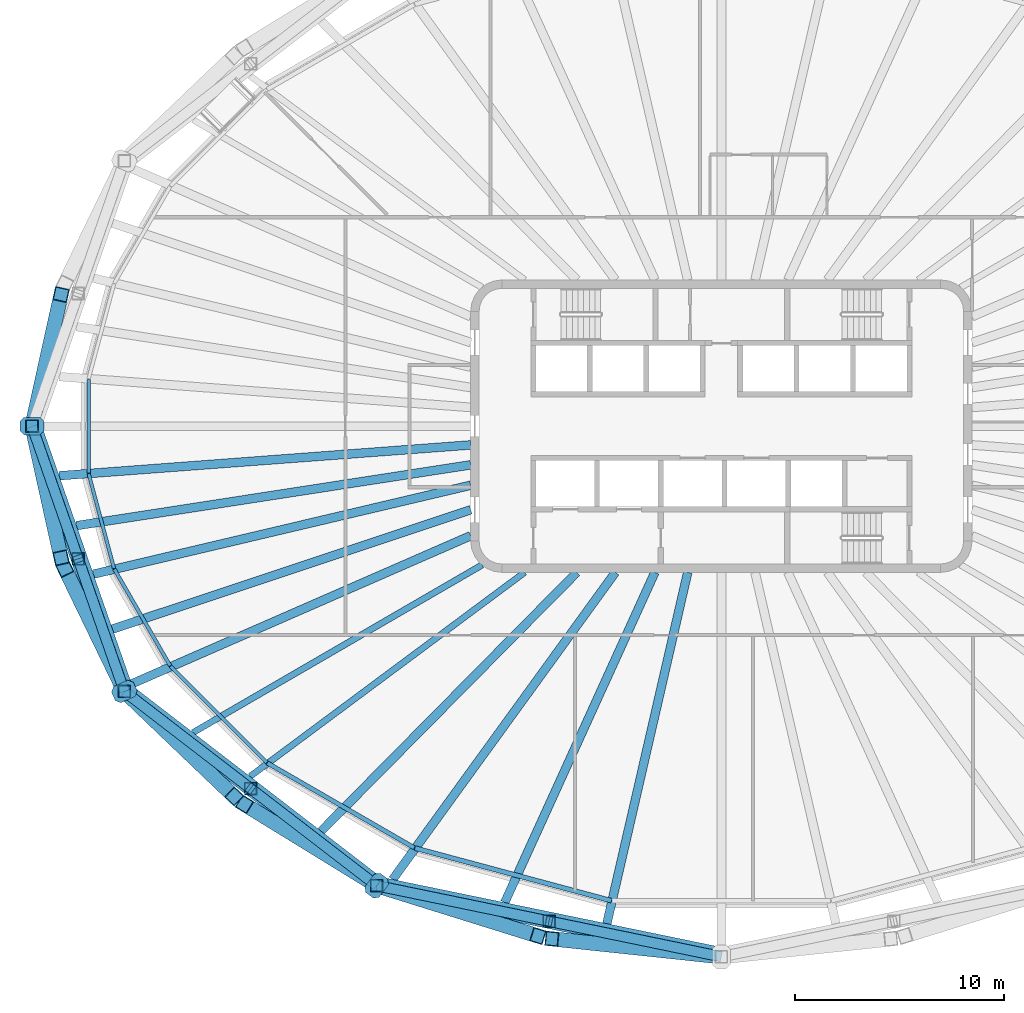
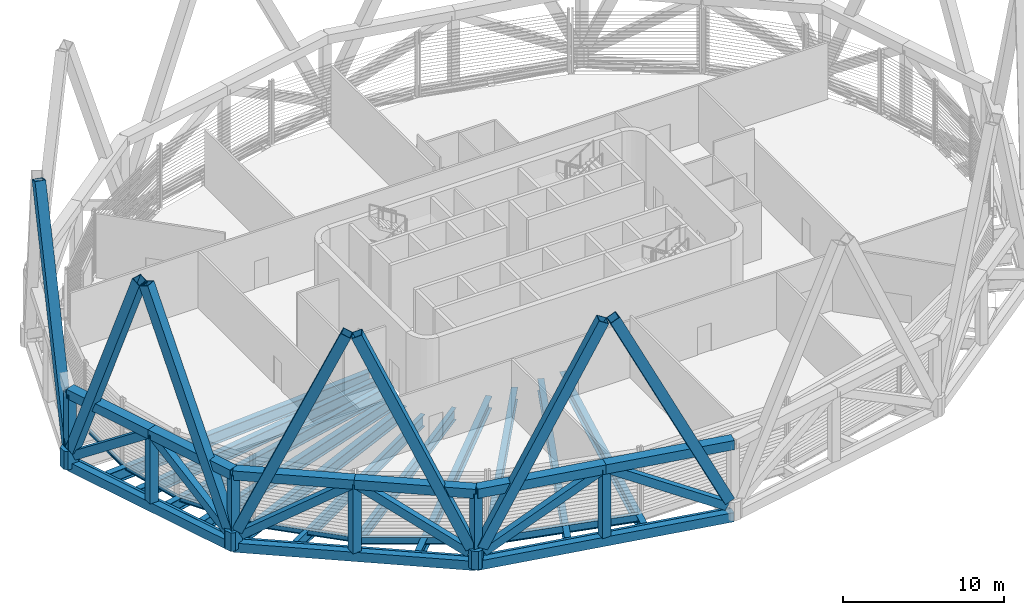
# One storey, part 1 of 17: 28 members, 23 beams.
"""IFC4 building model written with IfcOpenShell, lengths in metres."""

from ifc_helpers import new_model, si_unit, direction, frame, origin, origin_2d, place, context, subcontext, project, spatial, polyline, hollow_rectangle, i_section, outline, extrude, material, material_profile, profile_set, type_object, element, save


model = new_model("IFC4")

# Units and contexts
model_context = context("Model", 3, precision=1e-05, world=origin(), true_north=direction((0.0, 1.0)))
body_context = subcontext(model_context, "Body", "Model", "MODEL_VIEW")
ifc_project = project(units=[si_unit("LENGTHUNIT", "METRE"), si_unit("AREAUNIT", "SQUARE_METRE"), si_unit("VOLUMEUNIT", "CUBIC_METRE"), si_unit("PLANEANGLEUNIT", "RADIAN"), si_unit("MASSUNIT", "GRAM", prefix="KILO")], contexts=[model_context])

# Site, building, storey
site_placement = place(None, origin())
site = spatial("IfcSite", under=ifc_project, at=site_placement, CompositionType="ELEMENT")
building_placement = place(site_placement, origin())
building = spatial("IfcBuilding", under=site, at=building_placement, Name="Sahrelin Media Tower", CompositionType="ELEMENT")
storey_placement = place(building_placement, frame((0.0, 0.0, 249.60009765625)))
storey = spatial("IfcBuildingStorey", under=building, at=storey_placement, Name="L54", CompositionType="ELEMENT", Elevation=249.60009765625)

# Members
ifc_material_1 = material(Name="Steel S460", Category="steel")
ifc_material_profile_1 = material_profile(ifc_material_1, hollow_rectangle(XDim=0.699951171875, YDim=0.699951171875, WallThickness=0.044921875, at=origin_2d()), Name="Belt truss chord BC")
ifc_profile_set_1 = profile_set([ifc_material_profile_1], Name="Steel S460")
member_type_1 = type_object("IfcMemberType", Name="Belt truss chord BC", PredefinedType="CHORD", material=ifc_profile_set_1)
member_1_placement = place(storey_placement, frame((-33.0, 0.0, 4.89990234375), z_axis=(0.328781145791, -0.944406140478, 0.0), x_axis=(0.944406140478, 0.328781145791, 0.0)))
element("IfcMember", 1, at=member_1_placement, inside=storey, type_object=member_type_1, Name="Belt truss member BT12-06-T1", PredefinedType="CHORD", context=body_context, shape_type="SweptSolid", body=[
    extrude(hollow_rectangle(XDim=0.699951171875, YDim=0.699951171875, WallThickness=0.044921875, at=origin_2d()), origin(), (0.0, 0.0, 1.0), 6.723876953125),
])
member_2_placement = place(storey_placement, frame((-30.789306640625, -6.35009765625, 4.89990234375), z_axis=(0.328760034477, -0.944413489808, 0.0), x_axis=(0.944413489808, 0.328760034477, 0.0)))
element("IfcMember", 2, at=member_2_placement, inside=storey, type_object=member_type_1, Name="Belt truss member BT12-06-T2", PredefinedType="CHORD", context=body_context, shape_type="SweptSolid", body=[
    extrude(hollow_rectangle(XDim=0.699951171875, YDim=0.699951171875, WallThickness=0.044921875, at=origin_2d()), origin(), (0.0, 0.0, 1.0), 6.7236328125),
])
for number, where, z_axis, x_axis, name in (
    (3, (-28.578857421875, -12.699951171875, 4.89990234375), (0.792457239739, -0.60992747371, 0.0), (0.60992747371, 0.792457239739, 0.0), "Belt truss member BT12-07-T1"),
    (4, (-22.539306640625, -17.348388671875, 4.89990234375), (0.792429838397, -0.609963073651, 0.0), (0.609963073651, 0.792429838397, 0.0), "Belt truss member BT12-07-T2"),
):
    element("IfcMember", number, at=place(storey_placement, frame(where, z_axis=z_axis, x_axis=x_axis)), inside=storey, type_object=member_type_1, Name=name, PredefinedType="CHORD", context=body_context, shape_type="SweptSolid", body=[
        extrude(hollow_rectangle(XDim=0.699951171875, YDim=0.699951171875, WallThickness=0.044921875, at=origin_2d()), origin(), (0.0, 0.0, 1.0), 7.621337890625),
    ])
for number, where, z_axis, x_axis, name in (
    (5, (-16.5, -21.9970703125, 4.89990234375), (0.979389305257, -0.201981654484, 0.0), (0.201981654484, 0.979389305257, 0.0), "Belt truss member BT12-08-T1"),
    (6, (-8.25, -23.698486328125, 4.89990234375), (0.979389305257, -0.201981654484, 0.0), (0.201981654484, 0.979389305257, 0.0), "Belt truss member BT12-08-T2"),
):
    element("IfcMember", number, at=place(storey_placement, frame(where, z_axis=z_axis, x_axis=x_axis)), inside=storey, type_object=member_type_1, Name=name, PredefinedType="CHORD", context=body_context, shape_type="SweptSolid", body=[
        extrude(hollow_rectangle(XDim=0.699951171875, YDim=0.699951171875, WallThickness=0.044921875, at=origin_2d()), origin(), (0.0, 0.0, 1.0), 8.423583984375),
    ])
ifc_material_profile_2 = material_profile(ifc_material_1, hollow_rectangle(XDim=0.5, YDim=0.60009765625, WallThickness=0.030029296875, at=origin_2d()), Name="Belt truss diagonal BD")
ifc_profile_set_2 = profile_set([ifc_material_profile_2], Name="Steel S460")
member_type_2 = type_object("IfcMemberType", Name="Belt truss diagonal BD", PredefinedType="BRACE", material=ifc_profile_set_2)
member_3_placement = place(storey_placement, frame((-32.85205078125, -0.425048828125, 0.327880859375), z_axis=(0.265714094981, -0.763240072329, 0.588948734373), x_axis=(0.944404888511, 0.328784741977, 0.0)))
element("IfcMember", 7, at=member_3_placement, inside=storey, type_object=member_type_2, Name="Belt truss member BT12-06-X1", PredefinedType="BRACE", context=body_context, shape_type="SweptSolid", body=[
    extrude(hollow_rectangle(XDim=0.5, YDim=0.60009765625, WallThickness=0.030029296875, at=origin_2d()), origin(), (0.0, 0.0, 1.0), 7.762939453125),
])
member_4_placement = place(storey_placement, frame((-28.718994140625, -12.297119140625, 0.310791015625), z_axis=(-0.265701703145, 0.763234408833, 0.588961664388), x_axis=(-0.944408891997, -0.328773242093, 0.0)))
element("IfcMember", 8, at=member_4_placement, inside=storey, type_object=member_type_2, Name="Belt truss member BT12-06-X2", PredefinedType="BRACE", context=body_context, shape_type="SweptSolid", body=[
    extrude(hollow_rectangle(XDim=0.5, YDim=0.60009765625, WallThickness=0.030029296875, at=origin_2d()), origin(), (0.0, 0.0, 1.0), 7.791748046875),
])
member_5_placement = place(storey_placement, frame((-28.19580078125, -12.994873046875, 0.310791015625), z_axis=(0.666582719866, -0.513034790481, 0.540798281554), x_axis=(0.609919013166, 0.79246375146, 0.0)))
element("IfcMember", 9, at=member_5_placement, inside=storey, type_object=member_type_2, Name="Belt truss member BT12-07-X1", PredefinedType="BRACE", context=body_context, shape_type="SweptSolid", body=[
    extrude(hollow_rectangle(XDim=0.5, YDim=0.60009765625, WallThickness=0.030029296875, at=origin_2d()), origin(), (0.0, 0.0, 1.0), 8.48583984375),
])
member_6_placement = place(storey_placement, frame((-16.8369140625, -21.73779296875, 0.273193359375), z_axis=(-0.666545033767, 0.513071591476, 0.54080981868), x_axis=(-0.609968142805, -0.792425936453, 0.0)))
element("IfcMember", 10, at=member_6_placement, inside=storey, type_object=member_type_2, Name="Belt truss member BT12-07-X2", PredefinedType="BRACE", context=body_context, shape_type="SweptSolid", body=[
    extrude(hollow_rectangle(XDim=0.5, YDim=0.60009765625, WallThickness=0.030029296875, at=origin_2d()), origin(), (0.0, 0.0, 1.0), 8.55517578125),
])
member_7_placement = place(storey_placement, frame((-16.039794921875, -22.091796875, 0.273193359375), z_axis=(0.846572862427, -0.174610461893, 0.502817636126), x_axis=(0.202003671134, 0.979384764456, 0.0)))
element("IfcMember", 11, at=member_7_placement, inside=storey, type_object=member_type_2, Name="Belt truss member BT12-08-X1", PredefinedType="BRACE", context=body_context, shape_type="SweptSolid", body=[
    extrude(hollow_rectangle(XDim=0.5, YDim=0.60009765625, WallThickness=0.030029296875, at=origin_2d()), origin(), (0.0, 0.0, 1.0), 9.20166015625),
])
member_8_placement = place(storey_placement, frame((-0.425048828125, -25.312255859375, 0.252197265625), z_axis=(-0.846570292379, 0.174591420942, 0.502828574959), x_axis=(-0.201983129901, -0.979389000977, 0.0)))
element("IfcMember", 12, at=member_8_placement, inside=storey, type_object=member_type_2, Name="Belt truss member BT12-08-X2", PredefinedType="BRACE", context=body_context, shape_type="SweptSolid", body=[
    extrude(hollow_rectangle(XDim=0.5, YDim=0.60009765625, WallThickness=0.030029296875, at=origin_2d()), origin(), (0.0, 0.0, 1.0), 9.2431640625),
])
ifc_material_profile_3 = material_profile(ifc_material_1, hollow_rectangle(XDim=0.60009765625, YDim=0.60009765625, WallThickness=0.034912109375, at=origin_2d()), Name="Belt truss post BP")
ifc_profile_set_3 = profile_set([ifc_material_profile_3], Name="Steel S460")
member_type_3 = type_object("IfcMemberType", Name="Belt truss post BP", PredefinedType="POST", material=ifc_profile_set_3)
member_9_placement = place(storey_placement, frame((-33.0, 0.0, 0.699951171875), z_axis=(0.0, 0.0, 1.0), x_axis=(1.0, 0.0, 0.0)))
element("IfcMember", 13, at=member_9_placement, inside=storey, type_object=member_type_3, Name="Belt truss member BT12-06-P0", PredefinedType="POST", context=body_context, shape_type="SweptSolid", body=[
    extrude(hollow_rectangle(XDim=0.60009765625, YDim=0.60009765625, WallThickness=0.034912109375, at=origin_2d()), origin(), (0.0, 0.0, 1.0), 4.199951171875),
])
member_10_placement = place(storey_placement, frame((-30.789306640625, -6.35009765625, -0.320068359375), z_axis=(0.0, 0.0, 1.0), x_axis=(1.0, 0.0, 0.0)))
element("IfcMember", 14, at=member_10_placement, inside=storey, type_object=member_type_3, Name="Belt truss member BT12-06-P1", PredefinedType="POST", context=body_context, shape_type="SweptSolid", body=[
    extrude(hollow_rectangle(XDim=0.60009765625, YDim=0.60009765625, WallThickness=0.034912109375, at=origin_2d()), origin(), (0.0, 0.0, 1.0), 5.219970703125),
])
member_11_placement = place(storey_placement, frame((-28.578857421875, -12.699951171875, 0.699951171875), z_axis=(0.0, 0.0, 1.0), x_axis=(1.0, 0.0, 0.0)))
element("IfcMember", 15, at=member_11_placement, inside=storey, type_object=member_type_3, Name="Belt truss member BT12-07-P0", PredefinedType="POST", context=body_context, shape_type="SweptSolid", body=[
    extrude(hollow_rectangle(XDim=0.60009765625, YDim=0.60009765625, WallThickness=0.034912109375, at=origin_2d()), origin(), (0.0, 0.0, 1.0), 4.199951171875),
])
member_12_placement = place(storey_placement, frame((-22.539306640625, -17.348388671875, -0.320068359375), z_axis=(0.0, 0.0, 1.0), x_axis=(1.0, 0.0, 0.0)))
element("IfcMember", 16, at=member_12_placement, inside=storey, type_object=member_type_3, Name="Belt truss member BT12-07-P1", PredefinedType="POST", context=body_context, shape_type="SweptSolid", body=[
    extrude(hollow_rectangle(XDim=0.60009765625, YDim=0.60009765625, WallThickness=0.034912109375, at=origin_2d()), origin(), (0.0, 0.0, 1.0), 5.219970703125),
])
member_13_placement = place(storey_placement, frame((-16.5, -21.9970703125, 0.699951171875), z_axis=(0.0, 0.0, 1.0), x_axis=(1.0, 0.0, 0.0)))
element("IfcMember", 17, at=member_13_placement, inside=storey, type_object=member_type_3, Name="Belt truss member BT12-08-P0", PredefinedType="POST", context=body_context, shape_type="SweptSolid", body=[
    extrude(hollow_rectangle(XDim=0.60009765625, YDim=0.60009765625, WallThickness=0.034912109375, at=origin_2d()), origin(), (0.0, 0.0, 1.0), 4.199951171875),
])
member_14_placement = place(storey_placement, frame((-8.25, -23.698486328125, -0.320068359375), z_axis=(0.0, 0.0, 1.0), x_axis=(1.0, 0.0, 0.0)))
element("IfcMember", 18, at=member_14_placement, inside=storey, type_object=member_type_3, Name="Belt truss member BT12-08-P1", PredefinedType="POST", context=body_context, shape_type="SweptSolid", body=[
    extrude(hollow_rectangle(XDim=0.60009765625, YDim=0.60009765625, WallThickness=0.034912109375, at=origin_2d()), origin(), (0.0, 0.0, 1.0), 5.219970703125),
])
ifc_material_profile_4 = material_profile(ifc_material_1, hollow_rectangle(XDim=0.699951171875, YDim=0.699951171875, WallThickness=0.0400390625, at=origin_2d()), Name="Diagrid diagonal DG7")
ifc_profile_set_4 = profile_set([ifc_material_profile_4], Name="Steel S460")
member_type_4 = type_object("IfcMemberType", Name="Diagrid diagonal DG7", PredefinedType="BRACE", material=ifc_profile_set_4)
for number, where, z_axis, x_axis, name in (
    (19, (-32.941650390625, 0.26416015625, 0.699951171875), (0.077697733001, 0.351995353517, 0.932771318914), (-0.97649359469, 0.215546420824, 0.0), "Diagrid diagonal D12-11"),
    (20, (-32.941650390625, -0.26416015625, 0.699951171875), (0.077697733001, -0.351995353517, 0.932771318914), (0.97649359469, 0.215546420824, 0.0), "Diagrid diagonal D12-12"),
):
    element("IfcMember", number, at=place(storey_placement, frame(where, z_axis=z_axis, x_axis=x_axis)), inside=storey, type_object=member_type_4, Name=name, PredefinedType="BRACE", context=body_context, shape_type="SweptSolid", body=[
        extrude(hollow_rectangle(XDim=0.699951171875, YDim=0.699951171875, WallThickness=0.0400390625, at=origin_2d()), origin(), (0.0, 0.0, 1.0), 17.153076171875),
    ])
member_15_placement = place(storey_placement, frame((-28.698486328125, -12.453125, 0.699951171875), z_axis=(-0.159013041273, 0.328227240841, 0.931118537607), x_axis=(-0.899951232615, -0.435990572047, 0.0)))
element("IfcMember", 21, at=member_15_placement, inside=storey, type_object=member_type_4, Name="Diagrid diagonal D12-13", PredefinedType="BRACE", context=body_context, shape_type="SweptSolid", body=[
    extrude(hollow_rectangle(XDim=0.699951171875, YDim=0.699951171875, WallThickness=0.0400390625, at=origin_2d()), origin(), (0.0, 0.0, 1.0), 17.18359375),
])
member_16_placement = place(storey_placement, frame((-28.3583984375, -12.910888671875, 0.699951171875), z_axis=(0.288838753904, -0.276039709891, 0.916719287899), x_axis=(0.690907792114, 0.722942890411, 0.0)))
element("IfcMember", 22, at=member_16_placement, inside=storey, type_object=member_type_4, Name="Diagrid diagonal D12-14", PredefinedType="BRACE", context=body_context, shape_type="SweptSolid", body=[
    extrude(hollow_rectangle(XDim=0.699951171875, YDim=0.699951171875, WallThickness=0.0400390625, at=origin_2d()), origin(), (0.0, 0.0, 1.0), 17.45361328125),
])
member_17_placement = place(storey_placement, frame((-16.765380859375, -21.833740234375, 0.699951171875), z_axis=(-0.346360805513, 0.213035733311, 0.913591795463), x_axis=(-0.523902311709, -0.851778356021, 0.0)))
element("IfcMember", 23, at=member_17_placement, inside=storey, type_object=member_type_4, Name="Diagrid diagonal D12-15", PredefinedType="BRACE", context=body_context, shape_type="SweptSolid", body=[
    extrude(hollow_rectangle(XDim=0.699951171875, YDim=0.699951171875, WallThickness=0.0400390625, at=origin_2d()), origin(), (0.0, 0.0, 1.0), 17.51318359375),
])
member_18_placement = place(storey_placement, frame((-16.17626953125, -22.097900390625, 0.699951171875), z_axis=(0.416167398768, -0.129759635405, 0.899981740494), x_axis=(0.297663275597, 0.954670924644, 0.0)))
element("IfcMember", 24, at=member_18_placement, inside=storey, type_object=member_type_4, Name="Diagrid diagonal D12-16", PredefinedType="BRACE", context=body_context, shape_type="SweptSolid", body=[
    extrude(hollow_rectangle(XDim=0.699951171875, YDim=0.699951171875, WallThickness=0.0400390625, at=origin_2d()), origin(), (0.0, 0.0, 1.0), 17.778076171875),
])
member_19_placement = place(storey_placement, frame((-0.340087890625, -25.364013671875, 0.699951171875), z_axis=(-0.436551406628, 0.046175024732, 0.898493592889), x_axis=(-0.105185491563, -0.994452619467, 0.0)))
element("IfcMember", 25, at=member_19_placement, inside=storey, type_object=member_type_4, Name="Diagrid diagonal D12-17", PredefinedType="BRACE", context=body_context, shape_type="SweptSolid", body=[
    extrude(hollow_rectangle(XDim=0.699951171875, YDim=0.699951171875, WallThickness=0.0400390625, at=origin_2d()), origin(), (0.0, 0.0, 1.0), 17.8076171875),
])
ifc_material_profile_5 = material_profile(ifc_material_1, outline(polyline([(0.375, -0.425048828125), (0.574951171875, -0.22509765625), (0.574951171875, 0.22509765625), (0.375, 0.425048828125), (-0.375, 0.425048828125), (-0.574951171875, 0.22509765625), (-0.574951171875, -0.22509765625), (-0.375, -0.425048828125), (0.375, -0.425048828125)])), Name="Diagrid node block 1150")
ifc_profile_set_5 = profile_set([ifc_material_profile_5], Name="Steel S460")
member_type_5 = type_object("IfcMemberType", Name="Diagrid node block 1150", PredefinedType="USERDEFINED", material=ifc_profile_set_5)
for number, where, z_axis, x_axis, name in (
    (26, (-33.0, 0.0, -0.7001953125), (0.0, 0.0, 1.0), (-1.0, 0.0, 0.0), "Diagrid node N12-06"),
    (27, (-28.578857421875, -12.699951171875, -0.7001953125), (0.0, 0.0, 1.0), (-0.913831317054, -0.40609398416, 0.0), "Diagrid node N12-07"),
    (28, (-16.5, -21.9970703125, -0.7001953125), (0.0, 0.0, 1.0), (-0.600051693363, -0.799961227368, 0.0), "Diagrid node N12-08"),
):
    element("IfcMember", number, at=place(storey_placement, frame(where, z_axis=z_axis, x_axis=x_axis)), inside=storey, type_object=member_type_5, Name=name, ObjectType="NODE", PredefinedType="USERDEFINED", context=body_context, shape_type="SweptSolid", body=[
        extrude(outline(polyline([(0.375, -0.425048828125), (0.574951171875, -0.22509765625), (0.574951171875, 0.22509765625), (0.375, 0.425048828125), (-0.375, 0.425048828125), (-0.574951171875, 0.22509765625), (-0.574951171875, -0.22509765625), (-0.375, -0.425048828125), (0.375, -0.425048828125)])), origin(), (0.0, 0.0, 1.0), 1.400146484375),
    ])

# Beams
ifc_material_profile_6 = material_profile(ifc_material_1, hollow_rectangle(XDim=0.5, YDim=0.699951171875, WallThickness=0.034912109375, at=origin_2d()), Name="Diagrid ring beam RB2")
ifc_profile_set_6 = profile_set([ifc_material_profile_6], Name="Steel S460")
beam_type_1 = type_object("IfcBeamType", Name="Diagrid ring beam RB2", PredefinedType="BEAM", material=ifc_profile_set_6)
beam_1_placement = place(storey_placement, frame((-33.0, 0.0, -0.650146484375), z_axis=(0.328770590399, -0.944409815117, 0.0), x_axis=(0.944409815117, 0.328770590399, 0.0)))
element("IfcBeam", 29, at=beam_1_placement, inside=storey, type_object=beam_type_1, Name="Diagrid ring beam RB12-06", PredefinedType="BEAM", context=body_context, shape_type="SweptSolid", body=[
    extrude(hollow_rectangle(XDim=0.5, YDim=0.699951171875, WallThickness=0.034912109375, at=origin_2d()), origin(), (0.0, 0.0, 1.0), 13.447509765625),
])
beam_2_placement = place(storey_placement, frame((-28.578857421875, -12.699951171875, -0.650146484375), z_axis=(0.792443539308, -0.609945273782, 0.0), x_axis=(0.609945273782, 0.792443539308, 0.0)))
element("IfcBeam", 30, at=beam_2_placement, inside=storey, type_object=beam_type_1, Name="Diagrid ring beam RB12-07", PredefinedType="BEAM", context=body_context, shape_type="SweptSolid", body=[
    extrude(hollow_rectangle(XDim=0.5, YDim=0.699951171875, WallThickness=0.034912109375, at=origin_2d()), origin(), (0.0, 0.0, 1.0), 15.242431640625),
])
beam_3_placement = place(storey_placement, frame((-16.5, -21.9970703125, -0.650146484375), z_axis=(0.979389305257, -0.201981654484, 0.0), x_axis=(0.201981654484, 0.979389305257, 0.0)))
element("IfcBeam", 31, at=beam_3_placement, inside=storey, type_object=beam_type_1, Name="Diagrid ring beam RB12-08", PredefinedType="BEAM", context=body_context, shape_type="SweptSolid", body=[
    extrude(hollow_rectangle(XDim=0.5, YDim=0.699951171875, WallThickness=0.034912109375, at=origin_2d()), origin(), (0.0, 0.0, 1.0), 16.84716796875),
])
ifc_material_2 = material(Name="Steel S355", Category="steel")
ifc_material_profile_7 = material_profile(ifc_material_2, i_section(OverallWidth=0.1650390625, OverallDepth=0.303466796875, WebThickness=0.006103515625, FlangeThickness=0.01025390625, FilletRadius=0.0087890625, at=origin_2d()), Name="UB 305x165x40")
ifc_profile_set_7 = profile_set([ifc_material_profile_7], Name="Steel S355")
beam_type_2 = type_object("IfcBeamType", Name="Edge beam EB2", PredefinedType="BEAM", material=ifc_profile_set_7)
beam_4_placement = place(storey_placement, frame((-29.07275390625, -6.81201171875, -0.451904296875), z_axis=(-0.258823527778, 0.965924625149, 0.0), x_axis=(-0.965924625149, -0.258823527778, 0.0)))
element("IfcBeam", 32, at=beam_4_placement, inside=storey, type_object=beam_type_2, Name="Edge beam L54-12", PredefinedType="BEAM", context=body_context, shape_type="SweptSolid", body=[
    extrude(i_section(OverallWidth=0.1650390625, OverallDepth=0.303466796875, WebThickness=0.006103515625, FlangeThickness=0.01025390625, FilletRadius=0.0087890625, at=origin_2d()), origin(), (0.0, 0.0, 1.0), 4.698486328125),
])
beam_5_placement = place(storey_placement, frame((-30.29248046875, -2.2451171875, -0.451904296875), z_axis=(0.0, 1.0, 0.0), x_axis=(-1.0, 0.0, 0.0)))
element("IfcBeam", 33, at=beam_5_placement, inside=storey, type_object=beam_type_2, Name="Edge beam L54-13", PredefinedType="BEAM", context=body_context, shape_type="SweptSolid", body=[
    extrude(i_section(OverallWidth=0.1650390625, OverallDepth=0.303466796875, WebThickness=0.006103515625, FlangeThickness=0.01025390625, FilletRadius=0.0087890625, at=origin_2d()), origin(), (0.0, 0.0, 1.0), 4.490234375),
])
ifc_material_profile_8 = material_profile(ifc_material_2, i_section(OverallWidth=0.17138671875, OverallDepth=0.35498046875, WebThickness=0.00732421875, FlangeThickness=0.011474609375, FilletRadius=0.01025390625, at=origin_2d()), Name="UB 356x171x51")
ifc_profile_set_8 = profile_set([ifc_material_profile_8], Name="Steel S355")
beam_type_3 = type_object("IfcBeamType", Name="Edge beam EB3", PredefinedType="BEAM", material=ifc_profile_set_8)
beam_6_placement = place(storey_placement, frame((-26.385009765625, -11.474853515625, -0.4775390625), z_axis=(-0.500004049237, 0.866023065944, 0.0), x_axis=(-0.866023065944, -0.500004049237, 0.0)))
element("IfcBeam", 34, at=beam_6_placement, inside=storey, type_object=beam_type_3, Name="Edge beam L54-11", PredefinedType="BEAM", context=body_context, shape_type="SweptSolid", body=[
    extrude(i_section(OverallWidth=0.17138671875, OverallDepth=0.35498046875, WebThickness=0.00732421875, FlangeThickness=0.011474609375, FilletRadius=0.01025390625, at=origin_2d()), origin(), (0.0, 0.0, 1.0), 5.353515625),
])
ifc_material_profile_9 = material_profile(ifc_material_2, i_section(OverallWidth=0.177978515625, OverallDepth=0.406494140625, WebThickness=0.0078125, FlangeThickness=0.0126953125, FilletRadius=0.01025390625, at=origin_2d()), Name="UB 406x178x60")
ifc_profile_set_9 = profile_set([ifc_material_profile_9], Name="Steel S355")
beam_type_4 = type_object("IfcBeamType", Name="Edge beam EB4", PredefinedType="BEAM", material=ifc_profile_set_9)
beam_7_placement = place(storey_placement, frame((-21.761474609375, -16.103759765625, -0.50341796875), z_axis=(-0.707106781187, 0.707106781187, 0.0), x_axis=(-0.707106781187, -0.707106781187, 0.0)))
element("IfcBeam", 35, at=beam_7_placement, inside=storey, type_object=beam_type_4, Name="Edge beam L54-10", PredefinedType="BEAM", context=body_context, shape_type="SweptSolid", body=[
    extrude(i_section(OverallWidth=0.177978515625, OverallDepth=0.406494140625, WebThickness=0.0078125, FlangeThickness=0.0126953125, FilletRadius=0.01025390625, at=origin_2d()), origin(), (0.0, 0.0, 1.0), 6.513916015625),
])
ifc_material_profile_10 = material_profile(ifc_material_2, i_section(OverallWidth=0.208740234375, OverallDepth=0.5283203125, WebThickness=0.009521484375, FlangeThickness=0.01318359375, FilletRadius=0.0126953125, at=origin_2d()), Name="UB 533x210x82")
ifc_profile_set_10 = profile_set([ifc_material_profile_10], Name="Steel S355")
beam_type_5 = type_object("IfcBeamType", Name="Edge beam EB6", PredefinedType="BEAM", material=ifc_profile_set_10)
beam_8_placement = place(storey_placement, frame((-14.69970703125, -20.185302734375, -0.564208984375), z_axis=(-0.866020013879, 0.500009335473, 0.0), x_axis=(-0.500009335473, -0.866020013879, 0.0)))
element("IfcBeam", 36, at=beam_8_placement, inside=storey, type_object=beam_type_5, Name="Edge beam L54-09", PredefinedType="BEAM", context=body_context, shape_type="SweptSolid", body=[
    extrude(i_section(OverallWidth=0.208740234375, OverallDepth=0.5283203125, WebThickness=0.009521484375, FlangeThickness=0.01318359375, FilletRadius=0.0126953125, at=origin_2d()), origin(), (0.0, 0.0, 1.0), 8.127685546875),
])
ifc_material_profile_11 = material_profile(ifc_material_2, i_section(OverallWidth=0.2275390625, OverallDepth=0.6025390625, WebThickness=0.010498046875, FlangeThickness=0.014892578125, FilletRadius=0.0126953125, at=origin_2d()), Name="UB 610x229x101")
ifc_profile_set_11 = profile_set([ifc_material_profile_11], Name="Steel S355")
beam_type_6 = type_object("IfcBeamType", Name="Edge beam EB7", PredefinedType="BEAM", material=ifc_profile_set_11)
beam_9_placement = place(storey_placement, frame((-5.260498046875, -22.71826171875, -0.601318359375), z_axis=(-0.965929040414, 0.258807049527, 0.0), x_axis=(-0.258807049527, -0.965929040414, 0.0)))
element("IfcBeam", 37, at=beam_9_placement, inside=storey, type_object=beam_type_6, Name="Edge beam L54-08", PredefinedType="BEAM", context=body_context, shape_type="SweptSolid", body=[
    extrude(i_section(OverallWidth=0.2275390625, OverallDepth=0.6025390625, WebThickness=0.010498046875, FlangeThickness=0.014892578125, FilletRadius=0.0126953125, at=origin_2d()), origin(), (0.0, 0.0, 1.0), 9.74462890625),
])
ifc_material_profile_12 = material_profile(ifc_material_2, i_section(OverallWidth=0.30322265625, OverallDepth=0.903076171875, WebThickness=0.01513671875, FlangeThickness=0.020263671875, FilletRadius=0.01904296875, at=origin_2d()), Name="UB 914x305x201")
ifc_profile_set_12 = profile_set([ifc_material_profile_12], Name="Steel S355")
beam_type_7 = type_object("IfcBeamType", Name="Radial primary beam PB11", PredefinedType="BEAM", material=ifc_profile_set_12)
beam_10_placement = place(storey_placement, frame((-9.418701171875, -7.0, -0.751708984375), z_axis=(-0.802609662198, -0.596504593567, 0.0), x_axis=(0.596504593567, -0.802609662198, 0.0)))
element("IfcBeam", 38, at=beam_10_placement, inside=storey, type_object=beam_type_7, Name="Radial beam L54-16", PredefinedType="BEAM", context=body_context, shape_type="SweptSolid", body=[
    extrude(i_section(OverallWidth=0.30322265625, OverallDepth=0.903076171875, WebThickness=0.01513671875, FlangeThickness=0.020263671875, FilletRadius=0.01904296875, at=origin_2d()), origin(), (0.0, 0.0, 1.0), 16.376220703125),
])
ifc_material_profile_13 = material_profile(ifc_material_2, i_section(OverallWidth=0.41845703125, OverallDepth=0.911865234375, WebThickness=0.019287109375, FlangeThickness=0.031982421875, FilletRadius=0.024169921875, at=origin_2d()), Name="UB 914x419x343")
ifc_profile_set_13 = profile_set([ifc_material_profile_13], Name="Steel S355")
beam_type_8 = type_object("IfcBeamType", Name="Radial primary beam PB12", PredefinedType="BEAM", material=ifc_profile_set_13)
beam_11_placement = place(storey_placement, frame((-12.0, -0.8984375, -0.756103515625), z_axis=(-0.99720798925, -0.074674133249, 0.0), x_axis=(0.074674133249, -0.99720798925, 0.0)))
element("IfcBeam", 39, at=beam_11_placement, inside=storey, type_object=beam_type_8, Name="Radial beam L54-13", PredefinedType="BEAM", context=body_context, shape_type="SweptSolid", body=[
    extrude(i_section(OverallWidth=0.41845703125, OverallDepth=0.911865234375, WebThickness=0.019287109375, FlangeThickness=0.031982421875, FilletRadius=0.024169921875, at=origin_2d()), origin(), (0.0, 0.0, 1.0), 19.757080078125),
])
beam_12_placement = place(storey_placement, frame((-12.0, -2.828125, -0.756103515625), z_axis=(-0.973330655531, -0.229406702177, 0.0), x_axis=(0.229406702177, -0.973330655531, 0.0)))
element("IfcBeam", 40, at=beam_12_placement, inside=storey, type_object=beam_type_8, Name="Radial beam L54-14", PredefinedType="BEAM", context=body_context, shape_type="SweptSolid", body=[
    extrude(i_section(OverallWidth=0.41845703125, OverallDepth=0.911865234375, WebThickness=0.019287109375, FlangeThickness=0.031982421875, FilletRadius=0.024169921875, at=origin_2d()), origin(), (0.0, 0.0, 1.0), 18.556884765625),
])
beam_13_placement = place(storey_placement, frame((-12.0, -5.243896484375, -0.756103515625), z_axis=(-0.916323308001, -0.40043925284, 0.0), x_axis=(0.40043925284, -0.916323308001, 0.0)))
element("IfcBeam", 41, at=beam_13_placement, inside=storey, type_object=beam_type_8, Name="Radial beam L54-15", PredefinedType="BEAM", context=body_context, shape_type="SweptSolid", body=[
    extrude(i_section(OverallWidth=0.41845703125, OverallDepth=0.911865234375, WebThickness=0.019287109375, FlangeThickness=0.031982421875, FilletRadius=0.024169921875, at=origin_2d()), origin(), (0.0, 0.0, 1.0), 17.715576171875),
])
beam_14_placement = place(storey_placement, frame((-5.076416015625, -7.0, -0.756103515625), z_axis=(-0.58707992954, -0.809528971891, 0.0), x_axis=(0.809528971891, -0.58707992954, 0.0)))
element("IfcBeam", 42, at=beam_14_placement, inside=storey, type_object=beam_type_8, Name="Radial beam L54-17", PredefinedType="BEAM", context=body_context, shape_type="SweptSolid", body=[
    extrude(i_section(OverallWidth=0.41845703125, OverallDepth=0.911865234375, WebThickness=0.019287109375, FlangeThickness=0.031982421875, FilletRadius=0.024169921875, at=origin_2d()), origin(), (0.0, 0.0, 1.0), 18.158447265625),
])
beam_15_placement = place(storey_placement, frame((-1.61181640625, -7.0, -0.756103515625), z_axis=(-0.224368617712, -0.974504347546, 0.0), x_axis=(0.974504347546, -0.224368617712, 0.0)))
element("IfcBeam", 43, at=beam_15_placement, inside=storey, type_object=beam_type_8, Name="Radial beam L54-18", PredefinedType="BEAM", context=body_context, shape_type="SweptSolid", body=[
    extrude(i_section(OverallWidth=0.41845703125, OverallDepth=0.911865234375, WebThickness=0.019287109375, FlangeThickness=0.031982421875, FilletRadius=0.024169921875, at=origin_2d()), origin(), (0.0, 0.0, 1.0), 17.25439453125),
])
ifc_material_profile_14 = material_profile(ifc_material_2, i_section(OverallWidth=0.30322265625, OverallDepth=0.903076171875, WebThickness=0.01513671875, FlangeThickness=0.020263671875, FilletRadius=0.01904296875, at=origin_2d()), Name="UB 914x305x201")
ifc_profile_set_14 = profile_set([ifc_material_profile_14], Name="Steel S355")
beam_type_9 = type_object("IfcBeamType", Name="Radial secondary beam SB11", PredefinedType="BEAM", material=ifc_profile_set_14)
beam_16_placement = place(storey_placement, frame((-11.45361328125, -6.642822265625, -0.751708984375), z_axis=(-0.865043244327, -0.501697304602, 0.0), x_axis=(0.501697304602, -0.865043244327, 0.0)))
element("IfcBeam", 44, at=beam_16_placement, inside=storey, type_object=beam_type_9, Name="Secondary beam L54-15", PredefinedType="BEAM", context=body_context, shape_type="SweptSolid", body=[
    extrude(i_section(OverallWidth=0.30322265625, OverallDepth=0.903076171875, WebThickness=0.01513671875, FlangeThickness=0.020263671875, FilletRadius=0.01904296875, at=origin_2d()), origin(), (0.0, 0.0, 1.0), 15.99658203125),
])
ifc_material_profile_15 = material_profile(ifc_material_2, i_section(OverallWidth=0.41845703125, OverallDepth=0.911865234375, WebThickness=0.019287109375, FlangeThickness=0.031982421875, FilletRadius=0.024169921875, at=origin_2d()), Name="UB 914x419x343")
ifc_profile_set_15 = profile_set([ifc_material_profile_15], Name="Steel S355")
beam_type_10 = type_object("IfcBeamType", Name="Radial secondary beam SB12", PredefinedType="BEAM", material=ifc_profile_set_15)
beam_17_placement = place(storey_placement, frame((-12.0, -1.851806640625, -0.756103515625), z_axis=(-0.988304490037, -0.152493393212, 0.0), x_axis=(0.152493393212, -0.988304490037, 0.0)))
element("IfcBeam", 45, at=beam_17_placement, inside=storey, type_object=beam_type_10, Name="Secondary beam L54-13", PredefinedType="BEAM", context=body_context, shape_type="SweptSolid", body=[
    extrude(i_section(OverallWidth=0.41845703125, OverallDepth=0.911865234375, WebThickness=0.019287109375, FlangeThickness=0.031982421875, FilletRadius=0.024169921875, at=origin_2d()), origin(), (0.0, 0.0, 1.0), 19.093505859375),
])
beam_18_placement = place(storey_placement, frame((-12.0, -3.999755859375, -0.756103515625), z_axis=(-0.948694103899, -0.316195346624, 0.0), x_axis=(0.316195346624, -0.948694103899, 0.0)))
element("IfcBeam", 46, at=beam_18_placement, inside=storey, type_object=beam_type_10, Name="Secondary beam L54-14", PredefinedType="BEAM", context=body_context, shape_type="SweptSolid", body=[
    extrude(i_section(OverallWidth=0.41845703125, OverallDepth=0.911865234375, WebThickness=0.019287109375, FlangeThickness=0.031982421875, FilletRadius=0.024169921875, at=origin_2d()), origin(), (0.0, 0.0, 1.0), 18.07373046875),
])
beam_19_placement = place(storey_placement, frame((-6.918701171875, -7.0, -0.756103515625), z_axis=(-0.70295221278, -0.711237081815, 0.0), x_axis=(0.711237081815, -0.70295221278, 0.0)))
element("IfcBeam", 47, at=beam_19_placement, inside=storey, type_object=beam_type_10, Name="Secondary beam L54-16", PredefinedType="BEAM", context=body_context, shape_type="SweptSolid", body=[
    extrude(i_section(OverallWidth=0.41845703125, OverallDepth=0.911865234375, WebThickness=0.019287109375, FlangeThickness=0.031982421875, FilletRadius=0.024169921875, at=origin_2d()), origin(), (0.0, 0.0, 1.0), 17.415771484375),
])
beam_20_placement = place(storey_placement, frame((-3.183837890625, -7.0, -0.756103515625), z_axis=(-0.414027507963, -0.910264369648, 0.0), x_axis=(0.910264369648, -0.414027507963, 0.0)))
element("IfcBeam", 48, at=beam_20_placement, inside=storey, type_object=beam_type_10, Name="Secondary beam L54-17", PredefinedType="BEAM", context=body_context, shape_type="SweptSolid", body=[
    extrude(i_section(OverallWidth=0.41845703125, OverallDepth=0.911865234375, WebThickness=0.019287109375, FlangeThickness=0.031982421875, FilletRadius=0.024169921875, at=origin_2d()), origin(), (0.0, 0.0, 1.0), 17.364013671875),
])
ifc_material_profile_16 = material_profile(ifc_material_2, i_section(OverallWidth=0.1904296875, OverallDepth=0.45703125, WebThickness=0.009033203125, FlangeThickness=0.014404296875, FilletRadius=0.01025390625, at=origin_2d()), Name="UB 457x191x74")
ifc_profile_set_16 = profile_set([ifc_material_profile_16], Name="Steel S355")
beam_type_11 = type_object("IfcBeamType", Name="Tie chord TC5", PredefinedType="BEAM", material=ifc_profile_set_16)
beam_21_placement = place(storey_placement, frame((0.0, -25.04248046875, -0.528564453125), z_axis=(-0.979388089158, 0.201987551141, 0.0), x_axis=(-0.201987551141, -0.979388089158, 0.0)))
element("IfcBeam", 49, at=beam_21_placement, inside=storey, type_object=beam_type_11, Name="Tie chord L54-04", PredefinedType="BEAM", context=body_context, shape_type="SweptSolid", body=[
    extrude(i_section(OverallWidth=0.1904296875, OverallDepth=0.45703125, WebThickness=0.009033203125, FlangeThickness=0.014404296875, FilletRadius=0.01025390625, at=origin_2d()), origin(), (0.0, 0.0, 1.0), 16.6943359375),
])
beam_22_placement = place(storey_placement, frame((-16.350341796875, -21.67041015625, -0.528564453125), z_axis=(-0.792438909029, 0.609951289413, 0.0), x_axis=(-0.609951289413, -0.792438909029, 0.0)))
element("IfcBeam", 50, at=beam_22_placement, inside=storey, type_object=beam_type_11, Name="Tie chord L54-05", PredefinedType="BEAM", context=body_context, shape_type="SweptSolid", body=[
    extrude(i_section(OverallWidth=0.1904296875, OverallDepth=0.45703125, WebThickness=0.009033203125, FlangeThickness=0.014404296875, FilletRadius=0.01025390625, at=origin_2d()), origin(), (0.0, 0.0, 1.0), 15.057373046875),
])
beam_23_placement = place(storey_placement, frame((-28.282470703125, -12.486083984375, -0.528564453125), z_axis=(-0.328769858698, 0.944410069838, 0.0), x_axis=(-0.944410069838, -0.328769858698, 0.0)))
element("IfcBeam", 51, at=beam_23_placement, inside=storey, type_object=beam_type_11, Name="Tie chord L54-06", PredefinedType="BEAM", context=body_context, shape_type="SweptSolid", body=[
    extrude(i_section(OverallWidth=0.1904296875, OverallDepth=0.45703125, WebThickness=0.009033203125, FlangeThickness=0.014404296875, FilletRadius=0.01025390625, at=origin_2d()), origin(), (0.0, 0.0, 1.0), 13.220947265625),
])

save(model, "model.ifc")
